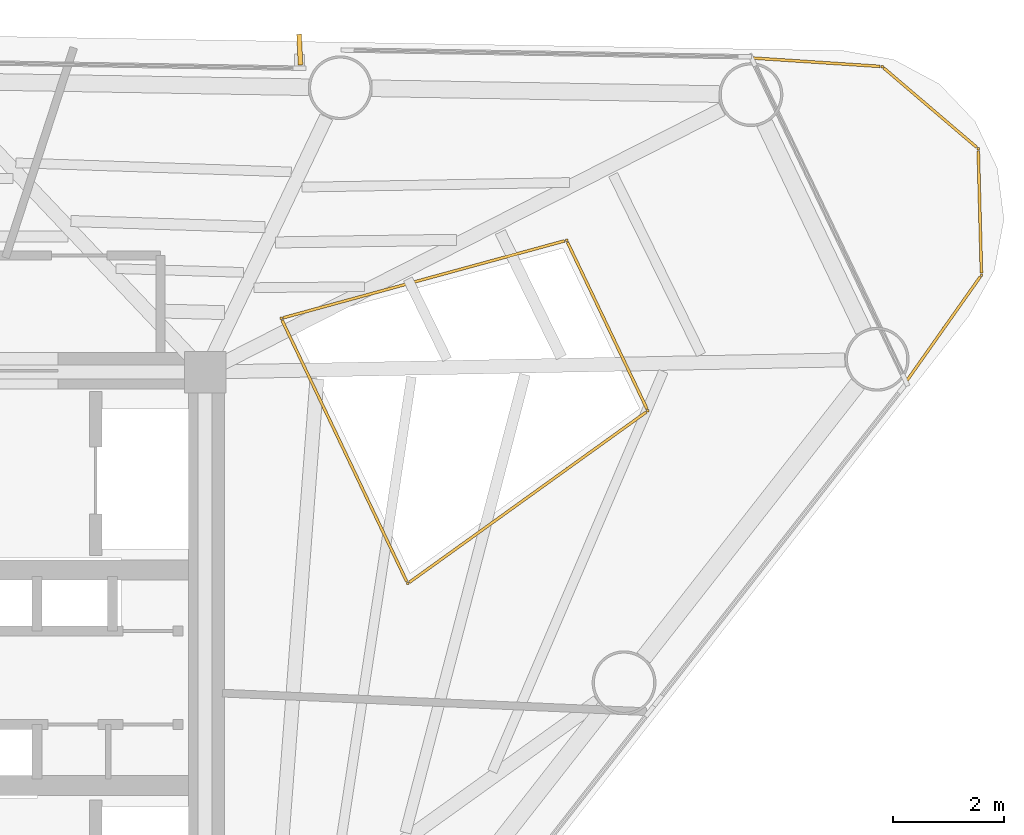
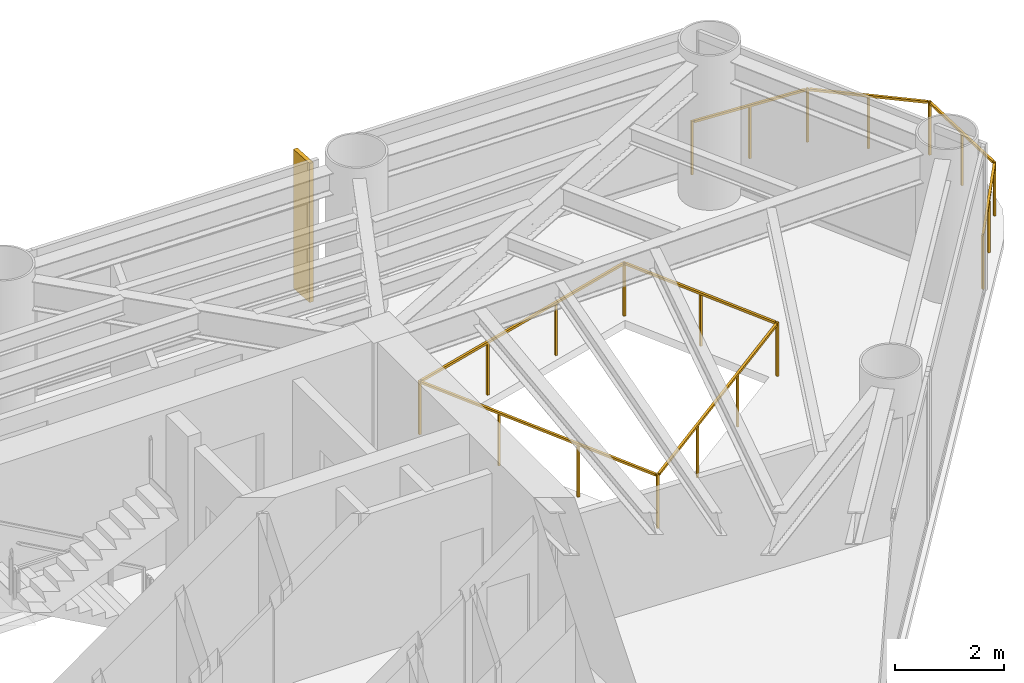
# One storey, part 10 of 10: 2 railings, 1 shading device.
"""IFC4 building model written with IfcOpenShell, lengths in metres."""

from ifc_helpers import new_model, si_unit, direction, frame, origin, origin_2d, place, context, subcontext, project, spatial, rectangle, extrude, source, transform, mapped, material, material_profile, profile_set, type_object, element, save


model = new_model("IFC4")

# Units and contexts
model_context = context("Model", 3, precision=1e-05, world=origin(), true_north=direction((0.0, 1.0)))
body_context = subcontext(model_context, "Body", "Model", "MODEL_VIEW")
ifc_project = project(units=[si_unit("LENGTHUNIT", "METRE"), si_unit("AREAUNIT", "SQUARE_METRE"), si_unit("VOLUMEUNIT", "CUBIC_METRE"), si_unit("PLANEANGLEUNIT", "RADIAN"), si_unit("MASSUNIT", "GRAM", prefix="KILO")], contexts=[model_context])

# Site, building, storey
site_placement = place(None, origin())
site = spatial("IfcSite", under=ifc_project, at=site_placement, CompositionType="ELEMENT")
building_placement = place(site_placement, origin())
building = spatial("IfcBuilding", under=site, at=building_placement, Name="Yunling Apex Tower", CompositionType="ELEMENT")
storey_placement = place(building_placement, frame((0.0, 0.0, 215.60009765625)))
storey = spatial("IfcBuildingStorey", under=building, at=storey_placement, Name="L53", CompositionType="ELEMENT", Elevation=215.60009765625)

# Railings
ifc_material = material(Name="Bronze anodised aluminium", Category="aluminium")
railing_type = type_object("IfcRailingType", Name="RL-BAL-1200", PredefinedType="BALUSTRADE", material=ifc_material)
railing_1_placement = place(storey_placement, frame((15.8828125, 11.15380859375, 0.0)))
element("IfcRailing", 1, at=railing_1_placement, inside=storey, type_object=railing_type, Name="RL-CRNSILL-L53-1", PredefinedType="BALUSTRADE", context=body_context, shape_type="SweptSolid", body=[
    extrude(rectangle(XDim=0.0439453125, YDim=0.0439453125, at=origin_2d()), origin(), (0.0, 0.0, 1.0), 1.199951171875),
    extrude(rectangle(XDim=0.0439453125, YDim=0.0439453125, at=origin_2d()), frame((2.349365234375, -0.154541015625, 0.0)), (0.0, 0.0, 1.0), 1.199951171875),
    extrude(rectangle(XDim=0.050048828125, YDim=0.050048828125, at=origin_2d()), frame((0.038330078125, -0.00244140625, 1.1748046875), z_axis=(0.997843498088, -0.065638047832, 0.0), x_axis=(0.065638047832, 0.997843498088, 0.0)), (0.0, 0.0, 1.0), 2.27783203125),
    extrude(rectangle(XDim=0.0439453125, YDim=0.0439453125, at=origin_2d()), frame((1.1748046875, -0.0771484375, 0.0)), (0.0, 0.0, 1.0), 1.14599609375),
    extrude(rectangle(XDim=0.0439453125, YDim=0.0439453125, at=origin_2d()), frame((4.080322265625, -1.6318359375, 0.0)), (0.0, 0.0, 1.0), 1.199951171875),
    extrude(rectangle(XDim=0.050048828125, YDim=0.050048828125, at=origin_2d()), frame((2.37841796875, -0.179443359375, 1.1748046875), z_axis=(0.760640732553, -0.6491730709, 0.0), x_axis=(0.6491730709, 0.760640732553, 0.0)), (0.0, 0.0, 1.0), 2.198974609375),
    extrude(rectangle(XDim=0.0439453125, YDim=0.0439453125, at=origin_2d()), frame((3.21484375, -0.89306640625, 0.0)), (0.0, 0.0, 1.0), 1.14599609375),
    extrude(rectangle(XDim=0.0439453125, YDim=0.0439453125, at=origin_2d()), frame((4.138916015625, -3.90673828125, 0.0)), (0.0, 0.0, 1.0), 1.199951171875),
    extrude(rectangle(XDim=0.050048828125, YDim=0.050048828125, at=origin_2d()), frame((4.081298828125, -1.670166015625, 1.1748046875), z_axis=(0.025748060881, -0.999668463722, 0.0), x_axis=(0.999668463722, 0.025748060881, 0.0)), (0.0, 0.0, 1.0), 2.198974609375),
    extrude(rectangle(XDim=0.0439453125, YDim=0.0439453125, at=origin_2d()), frame((4.109619140625, -2.769287109375, 0.0)), (0.0, 0.0, 1.0), 1.14599609375),
    extrude(rectangle(XDim=0.0439453125, YDim=0.0439453125, at=origin_2d()), frame((2.78076171875, -5.829833984375, 0.0)), (0.0, 0.0, 1.0), 1.199951171875),
    extrude(rectangle(XDim=0.050048828125, YDim=0.050048828125, at=origin_2d()), frame((4.11669921875, -3.93798828125, 1.1748046875), z_axis=(-0.57687453298, -0.81683276942, 0.0), x_axis=(0.81683276942, -0.57687453298, 0.0)), (0.0, 0.0, 1.0), 2.277587890625),
    extrude(rectangle(XDim=0.0439453125, YDim=0.0439453125, at=origin_2d()), frame((3.4599609375, -4.8681640625, 0.0)), (0.0, 0.0, 1.0), 1.14599609375),
])
railing_2_placement = place(storey_placement, frame((7.41845703125, 6.46728515625, 0.0)))
element("IfcRailing", 2, at=railing_2_placement, inside=storey, type_object=railing_type, Name="RL-TATR-L53", PredefinedType="BALUSTRADE", context=body_context, shape_type="SweptSolid", body=[
    extrude(rectangle(XDim=0.0439453125, YDim=0.0439453125, at=origin_2d()), origin(), (0.0, 0.0, 1.0), 1.199951171875),
    extrude(rectangle(XDim=0.0439453125, YDim=0.0439453125, at=origin_2d()), frame((5.135498046875, 1.404541015625, 0.0)), (0.0, 0.0, 1.0), 1.199951171875),
    extrude(rectangle(XDim=0.050048828125, YDim=0.050048828125, at=origin_2d()), frame((0.036865234375, 0.010009765625, 1.1748046875), z_axis=(0.964575212807, 0.263807996162, 0.0), x_axis=(-0.263807996162, 0.964575212807, 0.0)), (0.0, 0.0, 1.0), 5.24755859375),
    extrude(rectangle(XDim=0.0439453125, YDim=0.0439453125, at=origin_2d()), frame((1.7119140625, 0.46826171875, 0.0)), (0.0, 0.0, 1.0), 1.14599609375),
    extrude(rectangle(XDim=0.0439453125, YDim=0.0439453125, at=origin_2d()), frame((3.423583984375, 0.936279296875, 0.0)), (0.0, 0.0, 1.0), 1.14599609375),
    extrude(rectangle(XDim=0.0439453125, YDim=0.0439453125, at=origin_2d()), frame((6.599609375, -1.664794921875, 0.0)), (0.0, 0.0, 1.0), 1.199951171875),
    extrude(rectangle(XDim=0.050048828125, YDim=0.050048828125, at=origin_2d()), frame((5.152099609375, 1.369873046875, 1.1748046875), z_axis=(0.430538211034, -0.902572351028, 0.0), x_axis=(0.902572351028, 0.430538211034, 0.0)), (0.0, 0.0, 1.0), 3.323974609375),
    extrude(rectangle(XDim=0.0439453125, YDim=0.0439453125, at=origin_2d()), frame((5.86767578125, -0.130126953125, 0.0)), (0.0, 0.0, 1.0), 1.14599609375),
    extrude(rectangle(XDim=0.0439453125, YDim=0.0439453125, at=origin_2d()), frame((2.276123046875, -4.77197265625, 0.0)), (0.0, 0.0, 1.0), 1.199951171875),
    extrude(rectangle(XDim=0.050048828125, YDim=0.050048828125, at=origin_2d()), frame((6.568603515625, -1.687255859375, 1.1748046875), z_axis=(-0.812044572196, -0.583595418733, 0.0), x_axis=(0.583595418733, -0.812044572196, 0.0)), (0.0, 0.0, 1.0), 5.24755859375),
    extrude(rectangle(XDim=0.0439453125, YDim=0.0439453125, at=origin_2d()), frame((5.158447265625, -2.700439453125, 0.0)), (0.0, 0.0, 1.0), 1.14599609375),
    extrude(rectangle(XDim=0.0439453125, YDim=0.0439453125, at=origin_2d()), frame((3.71728515625, -3.736328125, 0.0)), (0.0, 0.0, 1.0), 1.14599609375),
    extrude(rectangle(XDim=0.050048828125, YDim=0.050048828125, at=origin_2d()), frame((2.259521484375, -4.7373046875, 1.1748046875), z_axis=(-0.430512460038, 0.902584634121, 0.0), x_axis=(-0.902584634121, -0.430512460038, 0.0)), (0.0, 0.0, 1.0), 5.21044921875),
    extrude(rectangle(XDim=0.0439453125, YDim=0.0439453125, at=origin_2d()), frame((1.517333984375, -3.181396484375, 0.0)), (0.0, 0.0, 1.0), 1.14599609375),
    extrude(rectangle(XDim=0.0439453125, YDim=0.0439453125, at=origin_2d()), frame((0.7587890625, -1.590576171875, 0.0)), (0.0, 0.0, 1.0), 1.14599609375),
])

# Shading device
ifc_material_profile = material_profile(ifc_material, rectangle(XDim=0.0849609375, YDim=0.550048828125, at=origin_2d()))
ifc_profile_set = profile_set([ifc_material_profile], Name="Bronze anodised aluminium")
shading_device_type = type_object("IfcShadingDeviceType", Name="FN-BRZ-3", PredefinedType="USERDEFINED", material=ifc_profile_set)
shared_shape = source(origin(), body_context, "Body", "SweptSolid", [
    extrude(rectangle(XDim=0.0849609375, YDim=0.550048828125, at=origin_2d()), origin(), (0.0, 0.0, 1.0), 3.110107421875),
])
shading_device_placement = place(storey_placement, frame((7.75341796875, 11.30517578125, 0.06005859375), z_axis=(0.0, 0.0, 1.0), x_axis=(-0.998814648022, -0.048675444496, 0.0)))
element("IfcShadingDevice", 3, at=shading_device_placement, inside=storey, type_object=shading_device_type, Name="CW-L53-F2-B2-FIN-01", ObjectType="FIN", PredefinedType="USERDEFINED", context=body_context, shape_type="MappedRepresentation", body=[
    mapped(shared_shape, transform((0.0, 0.0, 0.0), scale=1.0)),
])

save(model, "model.ifc")
